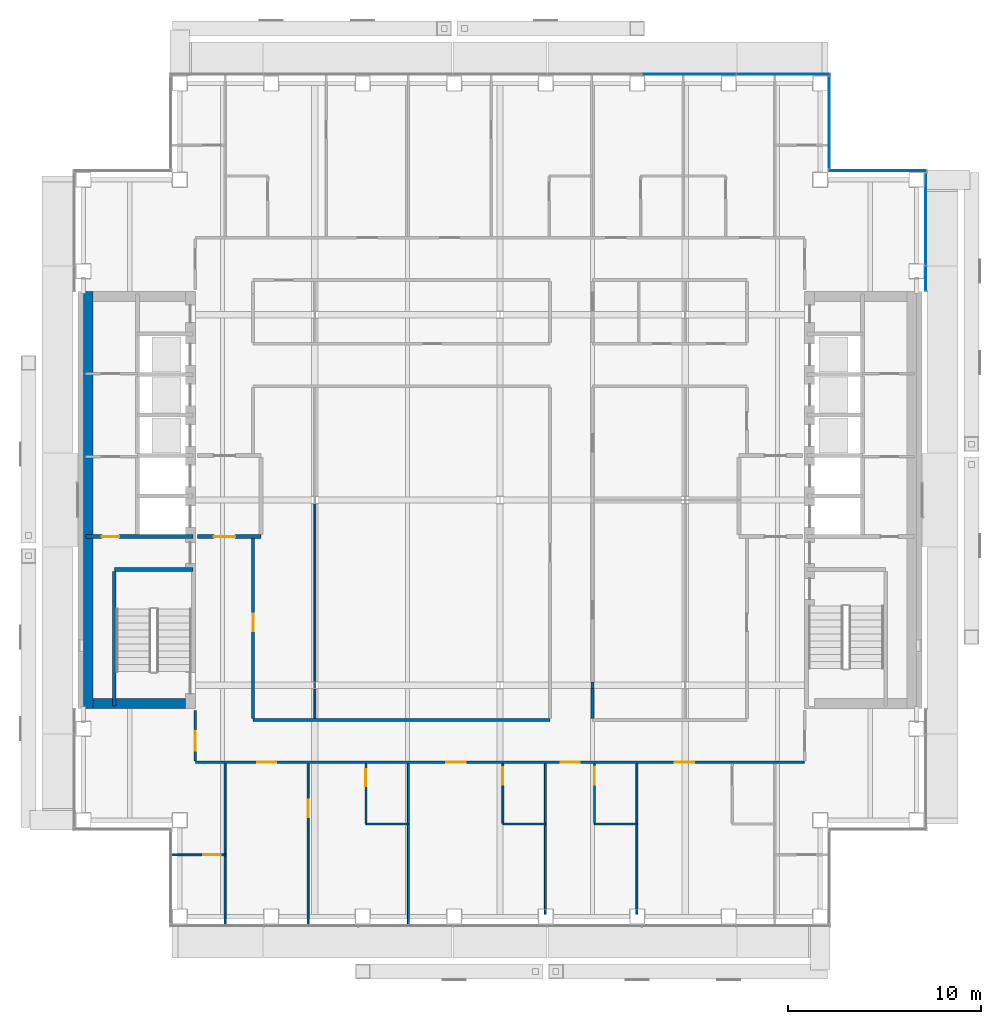
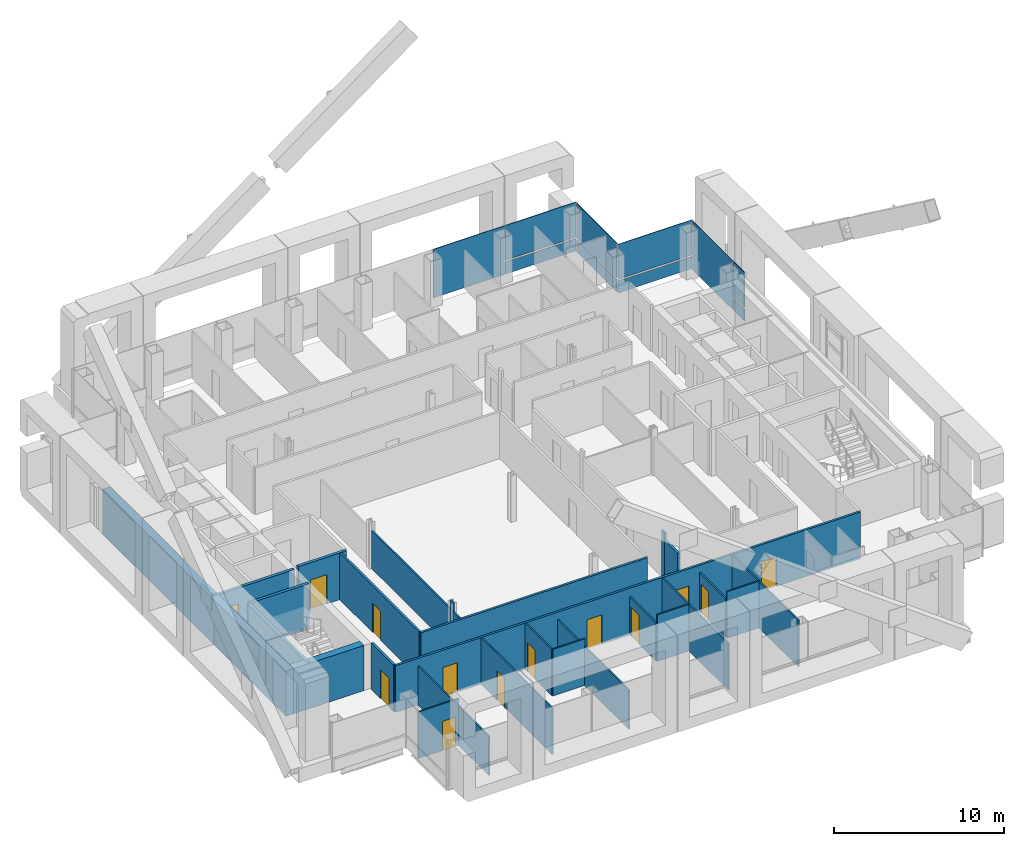
# One storey, part 12 of 22: 27 walls, 13 doors, 10 plates, 13 openings, 4 elements without a shape of their own.
"""IFC4 building model written with IfcOpenShell, lengths in metres."""

from ifc_helpers import new_model, si_unit, direction, frame, frame_2d, origin, origin_2d, place, context, subcontext, project, spatial, rectangle, extrude, material, layer, layer_set, type_object, element, fill, aggregate, save


model = new_model("IFC4")

# Units and contexts
model_context = context("Model", 3, precision=1e-05, world=origin(), true_north=direction((0.0, 1.0)))
body_context = subcontext(model_context, "Body", "Model", "MODEL_VIEW")
ifc_project = project(units=[si_unit("LENGTHUNIT", "METRE"), si_unit("AREAUNIT", "SQUARE_METRE"), si_unit("VOLUMEUNIT", "CUBIC_METRE"), si_unit("PLANEANGLEUNIT", "RADIAN"), si_unit("MASSUNIT", "GRAM", prefix="KILO")], contexts=[model_context])

# Site, building, storey
site_placement = place(None, origin())
site = spatial("IfcSite", under=ifc_project, at=site_placement, CompositionType="ELEMENT")
building_placement = place(site_placement, origin())
building = spatial("IfcBuilding", under=site, at=building_placement, Name="Cobrizo Arcos Hotel Tower", CompositionType="ELEMENT")
storey_placement = place(building_placement, frame((0.0, 0.0, 155.0)))
storey = spatial("IfcBuildingStorey", under=building, at=storey_placement, Name="L39", CompositionType="ELEMENT", Elevation=155.0)

# Curtain wall, plate
ifc_material_1 = material(Name="Aluminium 6063-T6 anodised bronze", Category="aluminium")
curtain_wall_type = type_object("IfcCurtainWallType", Name="CW-A guest facade", PredefinedType="NOTDEFINED", material=ifc_material_1)
curtain_wall_1_placement = place(storey_placement, origin())
curtain_wall_1 = element("IfcCurtainWall", 1, at=curtain_wall_1_placement, inside=storey, type_object=curtain_wall_type, Name="CW-A L39 E face", PredefinedType="NOTDEFINED")
ifc_material_2 = material(Name="Glass clear laminated low-e", Category="glass")
ifc_layer_1 = layer(ifc_material_2, 0.0400390625)
ifc_layer_set_1 = layer_set([ifc_layer_1], Name="CW-A glass panel")
plate_type_1 = type_object("IfcPlateType", Name="CW-A glass panel", PredefinedType="CURTAIN_PANEL", material=ifc_layer_set_1)
plate_1_placement = place(storey_placement, frame((22.074951171875, 11.486328125, 0.990234375), z_axis=(0.0, 0.0, 1.0), x_axis=(0.0, 1.0, 0.0)))
plate_1 = element("IfcPlate", 2, at=plate_1_placement, type_object=plate_type_1, Name="CW-A glass panel 1407", PredefinedType="CURTAIN_PANEL", context=body_context, shape_type="SweptSolid", body=[
    extrude(rectangle(XDim=1.2529296875, YDim=0.0400390625, at=origin_2d()), origin(), (0.0, 0.0, 1.0), 2.510009765625),
])

curtain_wall_2_placement = place(storey_placement, origin())
curtain_wall_2 = element("IfcCurtainWall", 3, at=curtain_wall_2_placement, inside=storey, type_object=curtain_wall_type, Name="CW-A L39 N face", PredefinedType="NOTDEFINED")
plate_2_placement = place(storey_placement, frame((19.574951171875, 17.074951171875, 0.990234375), z_axis=(0.0, 0.0, 1.0), x_axis=(-1.0, 0.0, 0.0)))
plate_2 = element("IfcPlate", 4, at=plate_2_placement, type_object=plate_type_1, Name="CW-A glass panel 1409", PredefinedType="CURTAIN_PANEL", context=body_context, shape_type="SweptSolid", body=[
    extrude(rectangle(XDim=5.030029296875, YDim=0.0400390625, at=origin_2d()), origin(), (0.0, 0.0, 1.0), 2.510009765625),
])

curtain_wall_3_placement = place(storey_placement, origin())
curtain_wall_3 = element("IfcCurtainWall", 5, at=curtain_wall_3_placement, inside=storey, type_object=curtain_wall_type, Name="CW-A L39 E face", PredefinedType="NOTDEFINED")
plate_3_placement = place(storey_placement, frame((17.074951171875, 19.574951171875, 0.990234375), z_axis=(0.0, 0.0, 1.0), x_axis=(0.0, 1.0, 0.0)))
plate_3 = element("IfcPlate", 6, at=plate_3_placement, type_object=plate_type_1, Name="CW-A glass panel 1410", PredefinedType="CURTAIN_PANEL", context=body_context, shape_type="SweptSolid", body=[
    extrude(rectangle(XDim=4.72998046875, YDim=0.0400390625, at=origin_2d()), origin(), (0.0, 0.0, 1.0), 2.510009765625),
])

curtain_wall_4_placement = place(storey_placement, origin())
curtain_wall_4 = element("IfcCurtainWall", 7, at=curtain_wall_4_placement, inside=storey, type_object=curtain_wall_type, Name="CW-A L39 N face", PredefinedType="NOTDEFINED")
plate_4_placement = place(storey_placement, frame((14.68505859375, 22.074951171875, 0.990234375), z_axis=(0.0, 0.0, 1.0), x_axis=(-1.0, 0.0, 0.0)))
plate_4 = element("IfcPlate", 8, at=plate_4_placement, type_object=plate_type_1, Name="CW-A glass panel 1411", PredefinedType="CURTAIN_PANEL", context=body_context, shape_type="SweptSolid", body=[
    extrude(rectangle(XDim=4.81005859375, YDim=0.0400390625, at=origin_2d()), origin(), (0.0, 0.0, 1.0), 2.510009765625),
])

# Plate
ifc_material_3 = material(Name="Aluminium composite panel pale metal", Category="aluminium")
ifc_layer_2 = layer(ifc_material_3, 0.0400390625)
ifc_layer_set_2 = layer_set([ifc_layer_2], Name="CW-A spandrel panel")
plate_type_2 = type_object("IfcPlateType", Name="CW-A spandrel panel", PredefinedType="CURTAIN_PANEL", material=ifc_layer_set_2)
plate_5_placement = place(storey_placement, frame((22.074951171875, 11.486328125, 0.0), z_axis=(0.0, 0.0, 1.0), x_axis=(0.0, 1.0, 0.0)))
plate_5 = element("IfcPlate", 9, at=plate_5_placement, type_object=plate_type_2, Name="CW-A spandrel panel 1407", PredefinedType="CURTAIN_PANEL", context=body_context, shape_type="SweptSolid", body=[
    extrude(rectangle(XDim=1.2529296875, YDim=0.0400390625, at=origin_2d()), origin(), (0.0, 0.0, 1.0), 0.8701171875),
])

plate_6_placement = place(storey_placement, frame((22.074951171875, 14.556396484375, 0.0), z_axis=(0.0, 0.0, 1.0), x_axis=(0.0, 1.0, 0.0)))
plate_6 = element("IfcPlate", 10, at=plate_6_placement, type_object=plate_type_2, Name="CW-A spandrel panel 1408", PredefinedType="CURTAIN_PANEL", context=body_context, shape_type="SweptSolid", body=[
    extrude(rectangle(XDim=4.76708984375, YDim=0.0400390625, at=origin_2d()), origin(), (0.0, 0.0, 1.0), 3.5),
])

aggregate(curtain_wall_1, [plate_5, plate_1, plate_6])

plate_7_placement = place(storey_placement, frame((19.574951171875, 17.074951171875, 0.0), z_axis=(0.0, 0.0, 1.0), x_axis=(-1.0, 0.0, 0.0)))
plate_7 = element("IfcPlate", 11, at=plate_7_placement, type_object=plate_type_2, Name="CW-A spandrel panel 1409", PredefinedType="CURTAIN_PANEL", context=body_context, shape_type="SweptSolid", body=[
    extrude(rectangle(XDim=5.030029296875, YDim=0.0400390625, at=origin_2d()), origin(), (0.0, 0.0, 1.0), 0.8701171875),
])

aggregate(curtain_wall_2, [plate_7, plate_2])

plate_8_placement = place(storey_placement, frame((17.074951171875, 19.574951171875, 0.0), z_axis=(0.0, 0.0, 1.0), x_axis=(0.0, 1.0, 0.0)))
plate_8 = element("IfcPlate", 12, at=plate_8_placement, type_object=plate_type_2, Name="CW-A spandrel panel 1410", PredefinedType="CURTAIN_PANEL", context=body_context, shape_type="SweptSolid", body=[
    extrude(rectangle(XDim=4.72998046875, YDim=0.0400390625, at=origin_2d()), origin(), (0.0, 0.0, 1.0), 0.8701171875),
])

aggregate(curtain_wall_3, [plate_8, plate_3])

plate_9_placement = place(storey_placement, frame((14.68505859375, 22.074951171875, 0.0), z_axis=(0.0, 0.0, 1.0), x_axis=(-1.0, 0.0, 0.0)))
plate_9 = element("IfcPlate", 13, at=plate_9_placement, type_object=plate_type_2, Name="CW-A spandrel panel 1411", PredefinedType="CURTAIN_PANEL", context=body_context, shape_type="SweptSolid", body=[
    extrude(rectangle(XDim=4.81005859375, YDim=0.0400390625, at=origin_2d()), origin(), (0.0, 0.0, 1.0), 0.8701171875),
])

plate_10_placement = place(storey_placement, frame((9.800048828125, 22.074951171875, 0.0), z_axis=(0.0, 0.0, 1.0), x_axis=(-1.0, 0.0, 0.0)))
plate_10 = element("IfcPlate", 14, at=plate_10_placement, type_object=plate_type_2, Name="CW-A spandrel panel 1412", PredefinedType="CURTAIN_PANEL", context=body_context, shape_type="SweptSolid", body=[
    extrude(rectangle(XDim=4.840087890625, YDim=0.0400390625, at=origin_2d()), origin(), (0.0, 0.0, 1.0), 3.5),
])

aggregate(curtain_wall_4, [plate_9, plate_4, plate_10])

# Wall, openings, doors
ifc_material_4 = material(Name="Gypsum board partition")
ifc_layer_3 = layer(ifc_material_4, 0.14990234375)
ifc_layer_set_3 = layer_set([ifc_layer_3], Name="Corridor wall EI 60 150")
wall_type_1 = type_object("IfcWallType", Name="Corridor wall EI 60 150", PredefinedType="PARTITIONING", material=ifc_layer_set_3)
wall_1_placement = place(storey_placement, frame((-15.800048828125, -13.60009765625, 0.0), z_axis=(0.0, 0.0, 1.0), x_axis=(1.0, 0.0, 0.0)))
wall_1 = element("IfcWall", 15, at=wall_1_placement, inside=storey, type_object=wall_type_1, Name="Partition 007", PredefinedType="PARTITIONING", context=body_context, shape_type="SweptSolid", body=[
    extrude(rectangle(XDim=31.60009765625, YDim=0.14990234375, at=frame_2d((15.800048828125, 0.0))), origin(), (0.0, 0.0, 1.0), 3.35009765625),
])
opening_1_placement = place(wall_1_placement, frame((3.2060546875, 0.0, 0.0)))
opening_1 = element("IfcOpeningElement", 16, at=opening_1_placement, cuts=wall_1, Name="Opening GD-05", PredefinedType="OPENING", context=body_context, shape_type="SweptSolid", body=[
    extrude(rectangle(XDim=1.0, YDim=2.10009765625, at=frame_2d((0.5, 1.050048828125))), frame((0.0, 0.0869140625, 0.0), z_axis=(0.0, -1.0, 0.0), x_axis=(1.0, 0.0, 0.0)), (0.0, 0.0, 1.0), 0.173828125),
])
opening_2_placement = place(wall_1_placement, frame((13.013916015625, 0.0, 0.0)))
opening_2 = element("IfcOpeningElement", 17, at=opening_2_placement, cuts=wall_1, Name="Opening GD-06", PredefinedType="OPENING", context=body_context, shape_type="SweptSolid", body=[
    extrude(rectangle(XDim=1.0, YDim=2.10009765625, at=frame_2d((0.5, 1.050048828125))), frame((0.0, 0.0869140625, 0.0), z_axis=(0.0, -1.0, 0.0), x_axis=(1.0, 0.0, 0.0)), (0.0, 0.0, 1.0), 0.173828125),
])
opening_3_placement = place(wall_1_placement, frame((18.943115234375, 0.0, 0.0)))
opening_3 = element("IfcOpeningElement", 18, at=opening_3_placement, cuts=wall_1, Name="Opening GD-07", PredefinedType="OPENING", context=body_context, shape_type="SweptSolid", body=[
    extrude(rectangle(XDim=1.0, YDim=2.10009765625, at=frame_2d((0.5, 1.050048828125))), frame((0.0, 0.0869140625, 0.0), z_axis=(0.0, -1.0, 0.0), x_axis=(1.0, 0.0, 0.0)), (0.0, 0.0, 1.0), 0.173828125),
])
opening_4_placement = place(wall_1_placement, frame((24.8720703125, 0.0, 0.0)))
opening_4 = element("IfcOpeningElement", 19, at=opening_4_placement, cuts=wall_1, Name="Opening GD-08", PredefinedType="OPENING", context=body_context, shape_type="SweptSolid", body=[
    extrude(rectangle(XDim=1.0, YDim=2.10009765625, at=frame_2d((0.5, 1.050048828125))), frame((0.0, 0.0869140625, 0.0), z_axis=(0.0, -1.0, 0.0), x_axis=(1.0, 0.0, 0.0)), (0.0, 0.0, 1.0), 0.173828125),
])
ifc_material_5 = material(Name="Timber door leaf", Category="wood")
door_type_1 = type_object("IfcDoorType", Name="Guest room door FD30S 1000x2100", OperationType="SINGLE_SWING_LEFT", PredefinedType="DOOR", material=ifc_material_5)
door_1_placement = place(opening_1_placement, origin())
door_1 = element("IfcDoor", 20, at=door_1_placement, inside=storey, type_object=door_type_1, Name="Door GD-05", OperationType="SINGLE_SWING_RIGHT", OverallHeight=2.10009765625, OverallWidth=1.0, PredefinedType="DOOR", context=body_context, shape_type="SweptSolid", body=[
    extrude(rectangle(XDim=1.0, YDim=2.10009765625, at=frame_2d((0.5, 1.050048828125))), frame((0.0, 0.02490234375, 0.0), z_axis=(0.0, -1.0, 0.0), x_axis=(1.0, 0.0, 0.0)), (0.0, 0.0, 1.0), 0.050048828125),
])
fill(opening_1, door_1)
door_2_placement = place(opening_2_placement, origin())
door_2 = element("IfcDoor", 21, at=door_2_placement, inside=storey, type_object=door_type_1, Name="Door GD-06", OperationType="SINGLE_SWING_LEFT", OverallHeight=2.10009765625, OverallWidth=1.0, PredefinedType="DOOR", context=body_context, shape_type="SweptSolid", body=[
    extrude(rectangle(XDim=1.0, YDim=2.10009765625, at=frame_2d((0.5, 1.050048828125))), frame((0.0, 0.02490234375, 0.0), z_axis=(0.0, -1.0, 0.0), x_axis=(1.0, 0.0, 0.0)), (0.0, 0.0, 1.0), 0.050048828125),
])
fill(opening_2, door_2)
door_3_placement = place(opening_3_placement, origin())
door_3 = element("IfcDoor", 22, at=door_3_placement, inside=storey, type_object=door_type_1, Name="Door GD-07", OperationType="SINGLE_SWING_RIGHT", OverallHeight=2.10009765625, OverallWidth=1.0, PredefinedType="DOOR", context=body_context, shape_type="SweptSolid", body=[
    extrude(rectangle(XDim=1.0, YDim=2.10009765625, at=frame_2d((0.5, 1.050048828125))), frame((0.0, 0.02490234375, 0.0), z_axis=(0.0, -1.0, 0.0), x_axis=(1.0, 0.0, 0.0)), (0.0, 0.0, 1.0), 0.050048828125),
])
fill(opening_3, door_3)
door_4_placement = place(opening_4_placement, origin())
door_4 = element("IfcDoor", 23, at=door_4_placement, inside=storey, type_object=door_type_1, Name="Door GD-08", OperationType="SINGLE_SWING_LEFT", OverallHeight=2.10009765625, OverallWidth=1.0, PredefinedType="DOOR", context=body_context, shape_type="SweptSolid", body=[
    extrude(rectangle(XDim=1.0, YDim=2.10009765625, at=frame_2d((0.5, 1.050048828125))), frame((0.0, 0.02490234375, 0.0), z_axis=(0.0, -1.0, 0.0), x_axis=(1.0, 0.0, 0.0)), (0.0, 0.0, 1.0), 0.050048828125),
])
fill(opening_4, door_4)

# Wall
wall_2_placement = place(storey_placement, frame((-12.800048828125, -11.39990234375, 0.0), z_axis=(0.0, 0.0, 1.0), x_axis=(1.0, 0.0, 0.0)))
element("IfcWall", 24, at=wall_2_placement, inside=storey, type_object=wall_type_1, Name="Partition 008", PredefinedType="PARTITIONING", context=body_context, shape_type="SweptSolid", body=[
    extrude(rectangle(XDim=15.400146484375, YDim=0.14990234375, at=frame_2d((7.7001953125, 0.0))), origin(), (0.0, 0.0, 1.0), 3.35009765625),
])

# Wall, opening, door
wall_3_placement = place(storey_placement, frame((-15.800048828125, -13.52490234375, 0.0), z_axis=(0.0, 0.0, 1.0), x_axis=(0.0, 1.0, 0.0)))
wall_3 = element("IfcWall", 25, at=wall_3_placement, inside=storey, type_object=wall_type_1, Name="Partition 052", PredefinedType="PARTITIONING", context=body_context, shape_type="SweptSolid", body=[
    extrude(rectangle(XDim=2.60498046875, YDim=0.14990234375, at=frame_2d((1.302490234375, 0.0))), origin(), (0.0, 0.0, 1.0), 3.35009765625),
])
opening_5_placement = place(wall_3_placement, frame((0.52490234375, 0.0, 0.0)))
opening_5 = element("IfcOpeningElement", 26, at=opening_5_placement, cuts=wall_3, Name="Opening GD-09", PredefinedType="OPENING", context=body_context, shape_type="SweptSolid", body=[
    extrude(rectangle(XDim=1.0, YDim=2.10009765625, at=frame_2d((0.5, 1.050048828125))), frame((0.0, 0.0869140625, 0.0), z_axis=(0.0, -1.0, 0.0), x_axis=(1.0, 0.0, 0.0)), (0.0, 0.0, 1.0), 0.173828125),
])
door_5_placement = place(opening_5_placement, origin())
door_5 = element("IfcDoor", 27, at=door_5_placement, inside=storey, type_object=door_type_1, Name="Door GD-09", OperationType="SINGLE_SWING_RIGHT", OverallHeight=2.10009765625, OverallWidth=1.0, PredefinedType="DOOR", context=body_context, shape_type="SweptSolid", body=[
    extrude(rectangle(XDim=1.0, YDim=2.10009765625, at=frame_2d((0.5, 1.050048828125))), frame((0.0, 0.02490234375, 0.0), z_axis=(0.0, -1.0, 0.0), x_axis=(1.0, 0.0, 0.0)), (0.0, 0.0, 1.0), 0.050048828125),
])
fill(opening_5, door_5)

wall_4_placement = place(storey_placement, frame((-12.800048828125, -11.324951171875, 0.0), z_axis=(0.0, 0.0, 1.0), x_axis=(0.0, 1.0, 0.0)))
wall_4 = element("IfcWall", 28, at=wall_4_placement, inside=storey, type_object=wall_type_1, Name="Partition 056", PredefinedType="PARTITIONING", context=body_context, shape_type="SweptSolid", body=[
    extrude(rectangle(XDim=9.324951171875, YDim=0.14990234375, at=frame_2d((4.66259765625, 0.0))), origin(), (0.0, 0.0, 1.0), 3.35009765625),
])
opening_6_placement = place(wall_4_placement, frame((4.52490234375, 0.0, 0.0)))
opening_6 = element("IfcOpeningElement", 29, at=opening_6_placement, cuts=wall_4, Name="Opening RD-17", PredefinedType="OPENING", context=body_context, shape_type="SweptSolid", body=[
    extrude(rectangle(XDim=0.89990234375, YDim=2.10009765625, at=frame_2d((0.449951171875, 1.050048828125))), frame((0.0, 0.0869140625, 0.0), z_axis=(0.0, -1.0, 0.0), x_axis=(1.0, 0.0, 0.0)), (0.0, 0.0, 1.0), 0.173828125),
])
door_type_2 = type_object("IfcDoorType", Name="Room door FD30 900x2100", OperationType="SINGLE_SWING_LEFT", PredefinedType="DOOR", material=ifc_material_5)
door_6_placement = place(opening_6_placement, origin())
door_6 = element("IfcDoor", 30, at=door_6_placement, inside=storey, type_object=door_type_2, Name="Door RD-17", OperationType="SINGLE_SWING_RIGHT", OverallHeight=2.10009765625, OverallWidth=0.89990234375, PredefinedType="DOOR", context=body_context, shape_type="SweptSolid", body=[
    extrude(rectangle(XDim=0.89990234375, YDim=2.10009765625, at=frame_2d((0.449951171875, 1.050048828125))), frame((0.0, 0.02490234375, 0.0), z_axis=(0.0, -1.0, 0.0), x_axis=(1.0, 0.0, 0.0)), (0.0, 0.0, 1.0), 0.050048828125),
])
fill(opening_6, door_6)

# Walls
wall_5_placement = place(storey_placement, frame((4.800048828125, -11.324951171875, 0.0), z_axis=(0.0, 0.0, 1.0), x_axis=(0.0, 1.0, 0.0)))
element("IfcWall", 31, at=wall_5_placement, inside=storey, type_object=wall_type_1, Name="Partition 082", PredefinedType="PARTITIONING", context=body_context, shape_type="SweptSolid", body=[
    extrude(rectangle(XDim=1.56103515625, YDim=0.14990234375, at=frame_2d((0.780517578125, 0.0))), origin(), (0.0, 0.0, 1.0), 2.81689453125),
])
wall_6_placement = place(storey_placement, frame((4.800048828125, -9.763916015625, 0.0), z_axis=(0.0, 0.0, 1.0), x_axis=(0.0, 1.0, 0.0)))
element("IfcWall", 32, at=wall_6_placement, inside=storey, type_object=wall_type_1, Name="Partition 083", PredefinedType="PARTITIONING", context=body_context, shape_type="SweptSolid", body=[
    extrude(rectangle(XDim=0.327880859375, YDim=0.14990234375, at=frame_2d((0.1640625, 0.0))), origin(), (0.0, 0.0, 1.0), 3.35009765625),
])

# Wall, opening, door
ifc_layer_4 = layer(ifc_material_4, 0.10009765625)
ifc_layer_set_4 = layer_set([ifc_layer_4], Name="Partition EI 30 100")
wall_type_2 = type_object("IfcWallType", Name="Partition EI 30 100", PredefinedType="PARTITIONING", material=ifc_layer_set_4)
wall_7_placement = place(storey_placement, frame((-17.030029296875, -18.39990234375, 0.0), z_axis=(0.0, 0.0, 1.0), x_axis=(1.0, 0.0, 0.0)))
wall_7 = element("IfcWall", 33, at=wall_7_placement, inside=storey, type_object=wall_type_2, Name="Partition 001", PredefinedType="PARTITIONING", context=body_context, shape_type="SweptSolid", body=[
    extrude(rectangle(XDim=2.780029296875, YDim=0.10009765625, at=frame_2d((1.39013671875, 0.0))), origin(), (0.0, 0.0, 1.0), 3.35009765625),
])
opening_7_placement = place(wall_7_placement, frame((1.639892578125, 0.0, 0.0)))
opening_7 = element("IfcOpeningElement", 34, at=opening_7_placement, cuts=wall_7, Name="Opening ED-10", PredefinedType="OPENING", context=body_context, shape_type="SweptSolid", body=[
    extrude(rectangle(XDim=0.89990234375, YDim=2.10009765625, at=frame_2d((0.449951171875, 1.050048828125))), frame((0.0, 0.06201171875, 0.0), z_axis=(0.0, -1.0, 0.0), x_axis=(1.0, 0.0, 0.0)), (0.0, 0.0, 1.0), 0.1240234375),
])
door_type_3 = type_object("IfcDoorType", Name="En-suite door 900x2100", OperationType="SINGLE_SWING_LEFT", PredefinedType="DOOR", material=ifc_material_5)
door_7_placement = place(opening_7_placement, origin())
door_7 = element("IfcDoor", 35, at=door_7_placement, inside=storey, type_object=door_type_3, Name="Door ED-10", OperationType="SINGLE_SWING_RIGHT", OverallHeight=2.10009765625, OverallWidth=0.89990234375, PredefinedType="DOOR", context=body_context, shape_type="SweptSolid", body=[
    extrude(rectangle(XDim=0.89990234375, YDim=2.10009765625, at=frame_2d((0.449951171875, 1.050048828125))), frame((0.0, 0.02490234375, 0.0), z_axis=(0.0, -1.0, 0.0), x_axis=(1.0, 0.0, 0.0)), (0.0, 0.0, 1.0), 0.050048828125),
])
fill(opening_7, door_7)

# Walls
wall_8_placement = place(storey_placement, frame((-6.949951171875, -16.800048828125, 0.0), z_axis=(0.0, 0.0, 1.0), x_axis=(1.0, 0.0, 0.0)))
element("IfcWall", 36, at=wall_8_placement, inside=storey, type_object=wall_type_2, Name="Partition 003", PredefinedType="PARTITIONING", context=body_context, shape_type="SweptSolid", body=[
    extrude(rectangle(XDim=2.199951171875, YDim=0.10009765625, at=frame_2d((1.10009765625, 0.0))), origin(), (0.0, 0.0, 1.0), 3.35009765625),
])
for number, where, z_axis, x_axis, name in (
    (37, (0.14990234375, -16.800048828125, 0.0), (0.0, 0.0, 1.0), (1.0, 0.0, 0.0), "Partition 004"),
    (38, (4.89990234375, -16.800048828125, 0.0), (0.0, 0.0, 1.0), (1.0, 0.0, 0.0), "Partition 005"),
):
    element("IfcWall", number, at=place(storey_placement, frame(where, z_axis=z_axis, x_axis=x_axis)), inside=storey, type_object=wall_type_2, Name=name, PredefinedType="PARTITIONING", context=body_context, shape_type="SweptSolid", body=[
        extrude(rectangle(XDim=2.2001953125, YDim=0.10009765625, at=frame_2d((1.10009765625, 0.0))), origin(), (0.0, 0.0, 1.0), 3.35009765625),
    ])
wall_9_placement = place(storey_placement, frame((-14.25, -22.030029296875, 0.0), z_axis=(0.0, 0.0, 1.0), x_axis=(0.0, 1.0, 0.0)))
element("IfcWall", 39, at=wall_9_placement, inside=storey, type_object=wall_type_2, Name="Partition 054", PredefinedType="PARTITIONING", context=body_context, shape_type="SweptSolid", body=[
    extrude(rectangle(XDim=8.35498046875, YDim=0.10009765625, at=frame_2d((4.177490234375, 0.0))), origin(), (0.0, 0.0, 1.0), 2.81689453125),
])

# Wall, opening, door
wall_10_placement = place(storey_placement, frame((-9.949951171875, -22.030029296875, 0.0), z_axis=(0.0, 0.0, 1.0), x_axis=(0.0, 1.0, 0.0)))
wall_10 = element("IfcWall", 40, at=wall_10_placement, inside=storey, type_object=wall_type_2, Name="Partition 062", PredefinedType="PARTITIONING", context=body_context, shape_type="SweptSolid", body=[
    extrude(rectangle(XDim=8.35498046875, YDim=0.10009765625, at=frame_2d((4.177490234375, 0.0))), origin(), (0.0, 0.0, 1.0), 3.35009765625),
])
opening_8_placement = place(wall_10_placement, frame((5.580078125, 0.0, 0.0)))
opening_8 = element("IfcOpeningElement", 41, at=opening_8_placement, cuts=wall_10, Name="Opening RD-10", PredefinedType="OPENING", context=body_context, shape_type="SweptSolid", body=[
    extrude(rectangle(XDim=0.89990234375, YDim=2.10009765625, at=frame_2d((0.449951171875, 1.050048828125))), frame((0.0, 0.06201171875, 0.0), z_axis=(0.0, -1.0, 0.0), x_axis=(1.0, 0.0, 0.0)), (0.0, 0.0, 1.0), 0.1240234375),
])
door_8_placement = place(opening_8_placement, origin())
door_8 = element("IfcDoor", 42, at=door_8_placement, inside=storey, type_object=door_type_2, Name="Door RD-10", OperationType="SINGLE_SWING_RIGHT", OverallHeight=2.10009765625, OverallWidth=0.89990234375, PredefinedType="DOOR", context=body_context, shape_type="SweptSolid", body=[
    extrude(rectangle(XDim=0.89990234375, YDim=2.10009765625, at=frame_2d((0.449951171875, 1.050048828125))), frame((0.0, 0.02490234375, 0.0), z_axis=(0.0, -1.0, 0.0), x_axis=(1.0, 0.0, 0.0)), (0.0, 0.0, 1.0), 0.050048828125),
])
fill(opening_8, door_8)

# Walls
wall_11_placement = place(storey_placement, frame((-9.60009765625, -11.324951171875, 0.0), z_axis=(0.0, 0.0, 1.0), x_axis=(0.0, 1.0, 0.0)))
element("IfcWall", 43, at=wall_11_placement, inside=storey, type_object=wall_type_2, Name="Partition 063", PredefinedType="PARTITIONING", context=body_context, shape_type="SweptSolid", body=[
    extrude(rectangle(XDim=1.537841796875, YDim=0.10009765625, at=frame_2d((0.76904296875, 0.0))), origin(), (0.0, 0.0, 1.0), 2.72802734375),
])
wall_12_placement = place(storey_placement, frame((-9.60009765625, -9.787109375, 0.0), z_axis=(0.0, 0.0, 1.0), x_axis=(0.0, 1.0, 0.0)))
element("IfcWall", 44, at=wall_12_placement, inside=storey, type_object=wall_type_2, Name="Partition 064", PredefinedType="PARTITIONING", context=body_context, shape_type="SweptSolid", body=[
    extrude(rectangle(XDim=0.3740234375, YDim=0.10009765625, at=frame_2d((0.18701171875, 0.0))), origin(), (0.0, 0.0, 1.0), 3.35009765625),
])
wall_13_placement = place(storey_placement, frame((-9.60009765625, -9.4130859375, 0.0), z_axis=(0.0, 0.0, 1.0), x_axis=(0.0, 1.0, 0.0)))
element("IfcWall", 45, at=wall_13_placement, inside=storey, type_object=wall_type_2, Name="Partition 065", PredefinedType="PARTITIONING", context=body_context, shape_type="SweptSolid", body=[
    extrude(rectangle(XDim=9.22607421875, YDim=0.10009765625, at=frame_2d((4.613037109375, 0.0))), origin(), (0.0, 0.0, 1.0), 2.72802734375),
])

# Wall, opening, door
wall_14_placement = place(storey_placement, frame((-6.949951171875, -16.75, 0.0), z_axis=(0.0, 0.0, 1.0), x_axis=(0.0, 1.0, 0.0)))
wall_14 = element("IfcWall", 46, at=wall_14_placement, inside=storey, type_object=wall_type_2, Name="Partition 072", PredefinedType="PARTITIONING", context=body_context, shape_type="SweptSolid", body=[
    extrude(rectangle(XDim=3.074951171875, YDim=0.10009765625, at=frame_2d((1.53759765625, 0.0))), origin(), (0.0, 0.0, 1.0), 3.35009765625),
])
opening_9_placement = place(wall_14_placement, frame((1.89990234375, 0.0, 0.0)))
opening_9 = element("IfcOpeningElement", 47, at=opening_9_placement, cuts=wall_14, Name="Opening ED-06", PredefinedType="OPENING", context=body_context, shape_type="SweptSolid", body=[
    extrude(rectangle(XDim=0.89990234375, YDim=2.10009765625, at=frame_2d((0.449951171875, 1.050048828125))), frame((0.0, 0.06201171875, 0.0), z_axis=(0.0, -1.0, 0.0), x_axis=(1.0, 0.0, 0.0)), (0.0, 0.0, 1.0), 0.1240234375),
])
door_9_placement = place(opening_9_placement, origin())
door_9 = element("IfcDoor", 48, at=door_9_placement, inside=storey, type_object=door_type_3, Name="Door ED-06", OperationType="SINGLE_SWING_RIGHT", OverallHeight=2.10009765625, OverallWidth=0.89990234375, PredefinedType="DOOR", context=body_context, shape_type="SweptSolid", body=[
    extrude(rectangle(XDim=0.89990234375, YDim=2.10009765625, at=frame_2d((0.449951171875, 1.050048828125))), frame((0.0, 0.02490234375, 0.0), z_axis=(0.0, -1.0, 0.0), x_axis=(1.0, 0.0, 0.0)), (0.0, 0.0, 1.0), 0.050048828125),
])
fill(opening_9, door_9)

# Wall
wall_15_placement = place(storey_placement, frame((-4.75, -22.030029296875, 0.0), z_axis=(0.0, 0.0, 1.0), x_axis=(0.0, 1.0, 0.0)))
element("IfcWall", 49, at=wall_15_placement, inside=storey, type_object=wall_type_2, Name="Partition 073", PredefinedType="PARTITIONING", context=body_context, shape_type="SweptSolid", body=[
    extrude(rectangle(XDim=8.35498046875, YDim=0.10009765625, at=frame_2d((4.177490234375, 0.0))), origin(), (0.0, 0.0, 1.0), 2.81689453125),
])

# Wall, opening, door
wall_16_placement = place(storey_placement, frame((0.14990234375, -16.75, 0.0), z_axis=(0.0, 0.0, 1.0), x_axis=(0.0, 1.0, 0.0)))
wall_16 = element("IfcWall", 50, at=wall_16_placement, inside=storey, type_object=wall_type_2, Name="Partition 076", PredefinedType="PARTITIONING", context=body_context, shape_type="SweptSolid", body=[
    extrude(rectangle(XDim=3.074951171875, YDim=0.10009765625, at=frame_2d((1.53759765625, 0.0))), origin(), (0.0, 0.0, 1.0), 2.72802734375),
])
opening_10_placement = place(wall_16_placement, frame((1.99609375, 0.0, 0.0)))
opening_10 = element("IfcOpeningElement", 51, at=opening_10_placement, cuts=wall_16, Name="Opening ED-07", PredefinedType="OPENING", context=body_context, shape_type="SweptSolid", body=[
    extrude(rectangle(XDim=0.89990234375, YDim=2.10009765625, at=frame_2d((0.449951171875, 1.050048828125))), frame((0.0, 0.06201171875, 0.0), z_axis=(0.0, -1.0, 0.0), x_axis=(1.0, 0.0, 0.0)), (0.0, 0.0, 1.0), 0.1240234375),
])
door_10_placement = place(opening_10_placement, origin())
door_10 = element("IfcDoor", 52, at=door_10_placement, inside=storey, type_object=door_type_3, Name="Door ED-07", OperationType="SINGLE_SWING_RIGHT", OverallHeight=2.10009765625, OverallWidth=0.89990234375, PredefinedType="DOOR", context=body_context, shape_type="SweptSolid", body=[
    extrude(rectangle(XDim=0.89990234375, YDim=2.10009765625, at=frame_2d((0.449951171875, 1.050048828125))), frame((0.0, 0.02490234375, 0.0), z_axis=(0.0, -1.0, 0.0), x_axis=(1.0, 0.0, 0.0)), (0.0, 0.0, 1.0), 0.050048828125),
])
fill(opening_10, door_10)

# Wall
wall_17_placement = place(storey_placement, frame((2.35009765625, -21.47998046875, 0.0), z_axis=(0.0, 0.0, 1.0), x_axis=(0.0, 1.0, 0.0)))
element("IfcWall", 53, at=wall_17_placement, inside=storey, type_object=wall_type_2, Name="Partition 077", PredefinedType="PARTITIONING", context=body_context, shape_type="SweptSolid", body=[
    extrude(rectangle(XDim=7.804931640625, YDim=0.10009765625, at=frame_2d((3.90234375, 0.0))), origin(), (0.0, 0.0, 1.0), 3.35009765625),
])

# Wall, opening, door
wall_18_placement = place(storey_placement, frame((4.89990234375, -16.75, 0.0), z_axis=(0.0, 0.0, 1.0), x_axis=(0.0, 1.0, 0.0)))
wall_18 = element("IfcWall", 54, at=wall_18_placement, inside=storey, type_object=wall_type_2, Name="Partition 090", PredefinedType="PARTITIONING", context=body_context, shape_type="SweptSolid", body=[
    extrude(rectangle(XDim=3.074951171875, YDim=0.10009765625, at=frame_2d((1.53759765625, 0.0))), origin(), (0.0, 0.0, 1.0), 2.81689453125),
])
opening_11_placement = place(wall_18_placement, frame((1.99609375, 0.0, 0.0)))
opening_11 = element("IfcOpeningElement", 55, at=opening_11_placement, cuts=wall_18, Name="Opening ED-08", PredefinedType="OPENING", context=body_context, shape_type="SweptSolid", body=[
    extrude(rectangle(XDim=0.89990234375, YDim=2.10009765625, at=frame_2d((0.449951171875, 1.050048828125))), frame((0.0, 0.06201171875, 0.0), z_axis=(0.0, -1.0, 0.0), x_axis=(1.0, 0.0, 0.0)), (0.0, 0.0, 1.0), 0.1240234375),
])
door_11_placement = place(opening_11_placement, origin())
door_11 = element("IfcDoor", 56, at=door_11_placement, inside=storey, type_object=door_type_3, Name="Door ED-08", OperationType="SINGLE_SWING_RIGHT", OverallHeight=2.10009765625, OverallWidth=0.89990234375, PredefinedType="DOOR", context=body_context, shape_type="SweptSolid", body=[
    extrude(rectangle(XDim=0.89990234375, YDim=2.10009765625, at=frame_2d((0.449951171875, 1.050048828125))), frame((0.0, 0.02490234375, 0.0), z_axis=(0.0, -1.0, 0.0), x_axis=(1.0, 0.0, 0.0)), (0.0, 0.0, 1.0), 0.050048828125),
])
fill(opening_11, door_11)

# Walls
wall_19_placement = place(storey_placement, frame((7.10009765625, -21.47998046875, 0.0), z_axis=(0.0, 0.0, 1.0), x_axis=(0.0, 1.0, 0.0)))
element("IfcWall", 57, at=wall_19_placement, inside=storey, type_object=wall_type_2, Name="Partition 091", PredefinedType="PARTITIONING", context=body_context, shape_type="SweptSolid", body=[
    extrude(rectangle(XDim=7.804931640625, YDim=0.10009765625, at=frame_2d((3.90234375, 0.0))), origin(), (0.0, 0.0, 1.0), 3.35009765625),
])
ifc_material_6 = material(Name="Concrete f'c 50 MPa", Category="concrete")
ifc_layer_5 = layer(ifc_material_6, 0.5)
ifc_layer_set_5 = layer_set([ifc_layer_5], Name="RC core wall 500 f'c 50")
wall_type_3 = type_object("IfcWallType", Name="RC core wall 500 f'c 50", PredefinedType="SHEAR", material=ifc_layer_set_5)
wall_20_placement = place(storey_placement, frame((-21.35009765625, -10.800048828125, 0.0), z_axis=(0.0, 0.0, 1.0), x_axis=(0.0, 1.0, 0.0)))
element("IfcWall", 58, at=wall_20_placement, inside=storey, type_object=wall_type_3, Name="Core wall CW3, west core, outer face, L39", PredefinedType="SHEAR", context=body_context, shape_type="SweptSolid", body=[
    extrude(rectangle(XDim=21.60009765625, YDim=0.5, at=frame_2d((10.800048828125, 0.0))), origin(), (0.0, 0.0, 1.0), 3.25),
])
wall_21_placement = place(storey_placement, frame((-21.10009765625, -10.550048828125, 0.0), z_axis=(0.0, 0.0, 1.0), x_axis=(1.0, 0.0, 0.0)))
element("IfcWall", 59, at=wall_21_placement, inside=storey, type_object=wall_type_3, Name="Core wall CW3, west core, south end, L39", PredefinedType="SHEAR", context=body_context, shape_type="SweptSolid", body=[
    extrude(rectangle(XDim=4.800048828125, YDim=0.5, at=frame_2d((2.39990234375, 0.0))), origin(), (0.0, 0.0, 1.0), 3.25),
])

# Wall, opening, door
ifc_layer_6 = layer(ifc_material_4, 0.199951171875)
ifc_layer_set_6 = layer_set([ifc_layer_6], Name="Shaft wall EI 120 200")
wall_type_4 = type_object("IfcWallType", Name="Shaft wall EI 120 200", PredefinedType="PARTITIONING", material=ifc_layer_set_6)
wall_22_placement = place(storey_placement, frame((-21.47998046875, -1.89990234375, 0.0), z_axis=(0.0, 0.0, 1.0), x_axis=(1.0, 0.0, 0.0)))
wall_22 = element("IfcWall", 60, at=wall_22_placement, inside=storey, type_object=wall_type_4, Name="Partition 012", PredefinedType="PARTITIONING", context=body_context, shape_type="SweptSolid", body=[
    extrude(rectangle(XDim=5.56005859375, YDim=0.199951171875, at=frame_2d((2.780029296875, 0.0))), origin(), (0.0, 0.0, 1.0), 3.25),
])
opening_12_placement = place(wall_22_placement, frame((0.830078125, 0.0, 0.0)))
opening_12 = element("IfcOpeningElement", 61, at=opening_12_placement, cuts=wall_22, Name="Opening RD-01", PredefinedType="OPENING", context=body_context, shape_type="SweptSolid", body=[
    extrude(rectangle(XDim=0.89990234375, YDim=2.10009765625, at=frame_2d((0.449951171875, 1.050048828125))), frame((0.0, 0.112060546875, 0.0), z_axis=(0.0, -1.0, 0.0), x_axis=(1.0, 0.0, 0.0)), (0.0, 0.0, 1.0), 0.223876953125),
])
door_12_placement = place(opening_12_placement, origin())
door_12 = element("IfcDoor", 62, at=door_12_placement, inside=storey, type_object=door_type_2, Name="Door RD-01", OperationType="SINGLE_SWING_LEFT", OverallHeight=2.10009765625, OverallWidth=0.89990234375, PredefinedType="DOOR", context=body_context, shape_type="SweptSolid", body=[
    extrude(rectangle(XDim=0.89990234375, YDim=2.10009765625, at=frame_2d((0.449951171875, 1.050048828125))), frame((0.0, 0.02490234375, 0.0), z_axis=(0.0, -1.0, 0.0), x_axis=(1.0, 0.0, 0.0)), (0.0, 0.0, 1.0), 0.050048828125),
])
fill(opening_12, door_12)

wall_23_placement = place(storey_placement, frame((-15.679931640625, -1.89990234375, 0.0), z_axis=(0.0, 0.0, 1.0), x_axis=(1.0, 0.0, 0.0)))
wall_23 = element("IfcWall", 63, at=wall_23_placement, inside=storey, type_object=wall_type_4, Name="Partition 013", PredefinedType="PARTITIONING", context=body_context, shape_type="SweptSolid", body=[
    extrude(rectangle(XDim=3.280029296875, YDim=0.199951171875, at=frame_2d((1.64013671875, 0.0))), origin(), (0.0, 0.0, 1.0), 3.35009765625),
])
opening_13_placement = place(wall_23_placement, frame((0.840087890625, 0.0, 0.0)))
opening_13 = element("IfcOpeningElement", 64, at=opening_13_placement, cuts=wall_23, Name="Opening FD-03", PredefinedType="OPENING", context=body_context, shape_type="SweptSolid", body=[
    extrude(rectangle(XDim=1.10009765625, YDim=2.10009765625, at=frame_2d((0.550048828125, 1.050048828125))), frame((0.0, 0.112060546875, 0.0), z_axis=(0.0, -1.0, 0.0), x_axis=(1.0, 0.0, 0.0)), (0.0, 0.0, 1.0), 0.223876953125),
])
ifc_material_7 = material(Name="Steel door leaf", Category="steel")
door_type_4 = type_object("IfcDoorType", Name="Fire door FD60 1100x2100", OperationType="SINGLE_SWING_LEFT", PredefinedType="DOOR", material=ifc_material_7)
door_13_placement = place(opening_13_placement, origin())
door_13 = element("IfcDoor", 65, at=door_13_placement, inside=storey, type_object=door_type_4, Name="Door FD-03", OperationType="SINGLE_SWING_LEFT", OverallHeight=2.10009765625, OverallWidth=1.10009765625, PredefinedType="DOOR", context=body_context, shape_type="SweptSolid", body=[
    extrude(rectangle(XDim=1.10009765625, YDim=2.10009765625, at=frame_2d((0.550048828125, 1.050048828125))), frame((0.0, 0.02490234375, 0.0), z_axis=(0.0, -1.0, 0.0), x_axis=(1.0, 0.0, 0.0)), (0.0, 0.0, 1.0), 0.050048828125),
])
fill(opening_13, door_13)

# Walls
ifc_material_8 = material(Name="Concrete f'c 40 MPa", Category="concrete")
ifc_layer_7 = layer(ifc_material_8, 0.199951171875)
ifc_layer_set_7 = layer_set([ifc_layer_7], Name="Stair shaft wall 200")
wall_type_5 = type_object("IfcWallType", Name="Stair shaft wall 200", PredefinedType="SHEAR", material=ifc_layer_set_7)
wall_24_placement = place(storey_placement, frame((-20.0, -3.60009765625, 0.0), z_axis=(0.0, 0.0, 1.0), x_axis=(1.0, 0.0, 0.0)))
element("IfcWall", 66, at=wall_24_placement, inside=storey, type_object=wall_type_5, Name="Stair shaft wall W", PredefinedType="SHEAR", context=body_context, shape_type="SweptSolid", body=[
    extrude(rectangle(XDim=4.080078125, YDim=0.199951171875, at=frame_2d((2.0400390625, 0.0))), origin(), (0.0, 0.0, 1.0), 3.25),
])
wall_25_placement = place(storey_placement, frame((-20.0, -10.679931640625, 0.0), z_axis=(0.0, 0.0, 1.0), x_axis=(0.0, 1.0, 0.0)))
element("IfcWall", 67, at=wall_25_placement, inside=storey, type_object=wall_type_5, Name="Stair shaft wall W", PredefinedType="SHEAR", context=body_context, shape_type="SweptSolid", body=[
    extrude(rectangle(XDim=6.97998046875, YDim=0.199951171875, at=frame_2d((3.489990234375, 0.0))), origin(), (0.0, 0.0, 1.0), 3.25),
])

save(model, "model.ifc")
